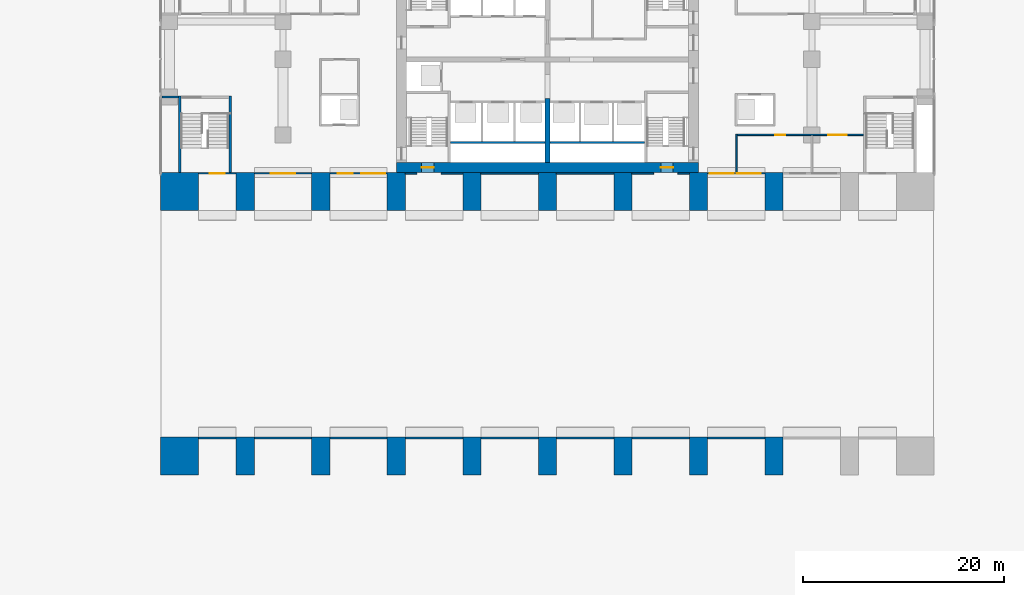
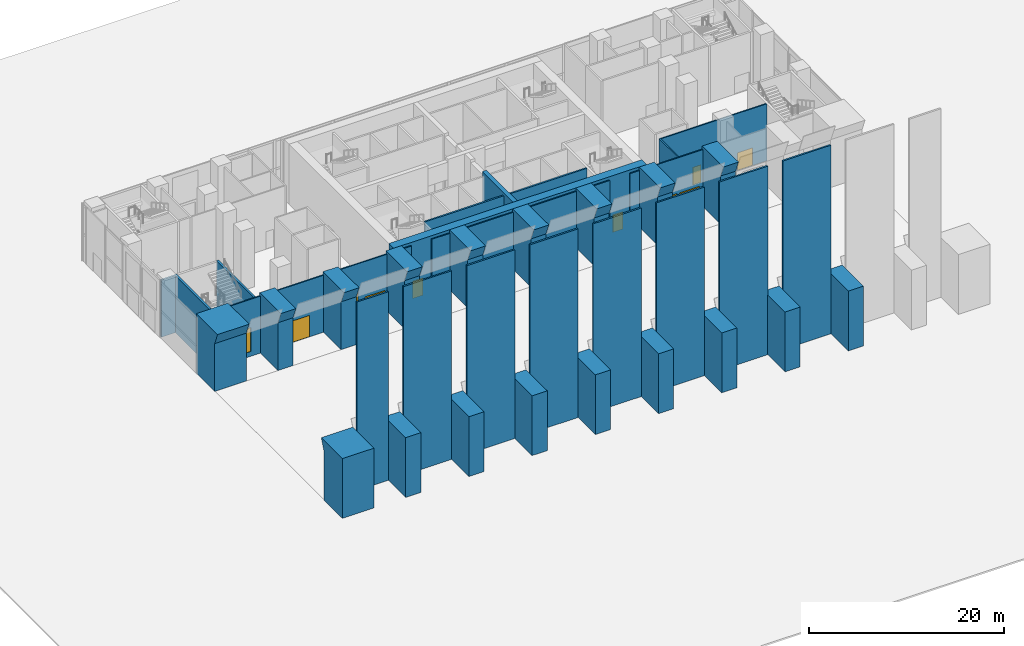
# One storey, part 11 of 21: 45 walls, 8 doors, 2 windows, 10 openings.
"""IFC4 building model written with IfcOpenShell, lengths in metres."""

from ifc_helpers import new_model, si_unit, direction, frame, frame_2d, origin, place, context, subcontext, project, spatial, polyline, rectangle, outline, extrude, material, layer, layer_set, type_object, element, fill, save


model = new_model("IFC4")

# Units and contexts
model_context = context("Model", 3, precision=1e-05, world=origin(), true_north=direction((0.0, 1.0)))
body_context = subcontext(model_context, "Body", "Model", "MODEL_VIEW")
ifc_project = project(units=[si_unit("LENGTHUNIT", "METRE"), si_unit("AREAUNIT", "SQUARE_METRE"), si_unit("VOLUMEUNIT", "CUBIC_METRE"), si_unit("PLANEANGLEUNIT", "RADIAN"), si_unit("MASSUNIT", "GRAM", prefix="KILO")], contexts=[model_context])

# Site, building, storey
site_placement = place(None, origin())
site = spatial("IfcSite", under=ifc_project, at=site_placement, CompositionType="ELEMENT")
building_placement = place(site_placement, origin())
building = spatial("IfcBuilding", under=site, at=building_placement, Name="Pilkhan Gate Tower", CompositionType="ELEMENT")
storey_placement = place(building_placement, origin())
storey = spatial("IfcBuildingStorey", under=building, at=storey_placement, Name="L00", CompositionType="ELEMENT", Elevation=0.0)

# Walls
ifc_material_1 = material(Name="Concrete C70/85", Category="concrete")
ifc_layer_1 = layer(ifc_material_1, 1.800048828125)
ifc_layer_set_1 = layer_set([ifc_layer_1], Name="Arch wall AW1800 C70/85")
wall_type_1 = type_object("IfcWallType", Name="Arch wall AW1800 C70/85", PredefinedType="SHEAR", material=ifc_layer_set_1)
wall_1_placement = place(storey_placement, frame((45.89990234375, 45.60107421875, 7.5), z_axis=(1.0, 0.0, 0.0), x_axis=(0.0, -1.0, 0.0)))
element("IfcWall", 1, at=wall_1_placement, inside=storey, type_object=wall_type_1, Name="Arch wall -30.00 L00-1", PredefinedType="SHEAR", context=body_context, shape_type="SweptSolid", body=[
    extrude(outline(polyline([(0.0, 0.0), (4.35107421875, 0.0), (4.35107421875, 7.5), (0.60107421875, 7.5), (0.60107421875, 1.5), (0.0, 0.0)])), origin(), (0.0, 0.0, -1.0), 1.800048828125),
])
wall_2_placement = place(storey_placement, frame((45.89990234375, 71.25, 7.5), z_axis=(1.0, 0.0, 0.0), x_axis=(0.0, -1.0, 0.0)))
element("IfcWall", 2, at=wall_2_placement, inside=storey, type_object=wall_type_1, Name="Arch wall -30.00 L00-2", PredefinedType="SHEAR", context=body_context, shape_type="SweptSolid", body=[
    extrude(outline(polyline([(0.0, 0.0), (4.35107421875, 0.0), (3.75, 1.5), (3.75, 7.5), (0.0, 7.5), (0.0, 0.0)])), origin(), (0.0, 0.0, -1.0), 1.800048828125),
])
wall_3_placement = place(storey_placement, frame((53.39990234375, 45.60107421875, 7.5), z_axis=(1.0, 0.0, 0.0), x_axis=(0.0, -1.0, 0.0)))
element("IfcWall", 3, at=wall_3_placement, inside=storey, type_object=wall_type_1, Name="Arch wall -22.50 L00-1", PredefinedType="SHEAR", context=body_context, shape_type="SweptSolid", body=[
    extrude(outline(polyline([(0.0, 0.0), (4.35107421875, 0.0), (4.35107421875, 7.5), (0.60107421875, 7.5), (0.60107421875, 1.5), (0.0, 0.0)])), origin(), (0.0, 0.0, -1.0), 1.800048828125),
])
wall_4_placement = place(storey_placement, frame((53.39990234375, 71.25, 7.5), z_axis=(1.0, 0.0, 0.0), x_axis=(0.0, -1.0, 0.0)))
element("IfcWall", 4, at=wall_4_placement, inside=storey, type_object=wall_type_1, Name="Arch wall -22.50 L00-2", PredefinedType="SHEAR", context=body_context, shape_type="SweptSolid", body=[
    extrude(outline(polyline([(0.0, 0.0), (4.35107421875, 0.0), (3.75, 1.5), (3.75, 7.5), (0.0, 7.5), (0.0, 0.0)])), origin(), (0.0, 0.0, -1.0), 1.800048828125),
])
wall_5_placement = place(storey_placement, frame((60.89990234375, 45.60107421875, 7.5), z_axis=(1.0, 0.0, 0.0), x_axis=(0.0, -1.0, 0.0)))
element("IfcWall", 5, at=wall_5_placement, inside=storey, type_object=wall_type_1, Name="Arch wall -15.00 L00-1", PredefinedType="SHEAR", context=body_context, shape_type="SweptSolid", body=[
    extrude(outline(polyline([(0.0, 0.0), (4.35107421875, 0.0), (4.35107421875, 7.5), (0.60107421875, 7.5), (0.60107421875, 1.5), (0.0, 0.0)])), origin(), (0.0, 0.0, -1.0), 1.800048828125),
])
wall_6_placement = place(storey_placement, frame((60.89990234375, 71.25, 7.5), z_axis=(1.0, 0.0, 0.0), x_axis=(0.0, -1.0, 0.0)))
element("IfcWall", 6, at=wall_6_placement, inside=storey, type_object=wall_type_1, Name="Arch wall -15.00 L00-2", PredefinedType="SHEAR", context=body_context, shape_type="SweptSolid", body=[
    extrude(outline(polyline([(0.0, 0.0), (4.35107421875, 0.0), (3.75, 1.5), (3.75, 7.5), (0.0, 7.5), (0.0, 0.0)])), origin(), (0.0, 0.0, -1.0), 1.800048828125),
])
wall_7_placement = place(storey_placement, frame((68.39990234375, 45.60107421875, 7.5), z_axis=(1.0, 0.0, 0.0), x_axis=(0.0, -1.0, 0.0)))
element("IfcWall", 7, at=wall_7_placement, inside=storey, type_object=wall_type_1, Name="Arch wall -7.50 L00-1", PredefinedType="SHEAR", context=body_context, shape_type="SweptSolid", body=[
    extrude(outline(polyline([(0.0, 0.0), (4.35107421875, 0.0), (4.35107421875, 7.5), (0.60107421875, 7.5), (0.60107421875, 1.5), (0.0, 0.0)])), origin(), (0.0, 0.0, -1.0), 1.800048828125),
])
wall_8_placement = place(storey_placement, frame((68.39990234375, 71.25, 7.5), z_axis=(1.0, 0.0, 0.0), x_axis=(0.0, -1.0, 0.0)))
element("IfcWall", 8, at=wall_8_placement, inside=storey, type_object=wall_type_1, Name="Arch wall -7.50 L00-2", PredefinedType="SHEAR", context=body_context, shape_type="SweptSolid", body=[
    extrude(outline(polyline([(0.0, 0.0), (4.35107421875, 0.0), (3.75, 1.5), (3.75, 7.5), (0.0, 7.5), (0.0, 0.0)])), origin(), (0.0, 0.0, -1.0), 1.800048828125),
])
wall_9_placement = place(storey_placement, frame((75.89990234375, 45.60107421875, 7.5), z_axis=(1.0, 0.0, 0.0), x_axis=(0.0, -1.0, 0.0)))
element("IfcWall", 9, at=wall_9_placement, inside=storey, type_object=wall_type_1, Name="Arch wall +0.00 L00-1", PredefinedType="SHEAR", context=body_context, shape_type="SweptSolid", body=[
    extrude(outline(polyline([(0.0, 0.0), (4.35107421875, 0.0), (4.35107421875, 7.5), (0.60107421875, 7.5), (0.60107421875, 1.5), (0.0, 0.0)])), origin(), (0.0, 0.0, -1.0), 1.800048828125),
])
wall_10_placement = place(storey_placement, frame((75.89990234375, 71.25, 7.5), z_axis=(1.0, 0.0, 0.0), x_axis=(0.0, -1.0, 0.0)))
element("IfcWall", 10, at=wall_10_placement, inside=storey, type_object=wall_type_1, Name="Arch wall +0.00 L00-2", PredefinedType="SHEAR", context=body_context, shape_type="SweptSolid", body=[
    extrude(outline(polyline([(0.0, 0.0), (4.35107421875, 0.0), (3.75, 1.5), (3.75, 7.5), (0.0, 7.5), (0.0, 0.0)])), origin(), (0.0, 0.0, -1.0), 1.800048828125),
])
wall_11_placement = place(storey_placement, frame((83.39990234375, 45.60107421875, 7.5), z_axis=(1.0, 0.0, 0.0), x_axis=(0.0, -1.0, 0.0)))
element("IfcWall", 11, at=wall_11_placement, inside=storey, type_object=wall_type_1, Name="Arch wall +7.50 L00-1", PredefinedType="SHEAR", context=body_context, shape_type="SweptSolid", body=[
    extrude(outline(polyline([(0.0, 0.0), (4.35107421875, 0.0), (4.35107421875, 7.5), (0.60107421875, 7.5), (0.60107421875, 1.5), (0.0, 0.0)])), origin(), (0.0, 0.0, -1.0), 1.800048828125),
])
wall_12_placement = place(storey_placement, frame((83.39990234375, 71.25, 7.5), z_axis=(1.0, 0.0, 0.0), x_axis=(0.0, -1.0, 0.0)))
element("IfcWall", 12, at=wall_12_placement, inside=storey, type_object=wall_type_1, Name="Arch wall +7.50 L00-2", PredefinedType="SHEAR", context=body_context, shape_type="SweptSolid", body=[
    extrude(outline(polyline([(0.0, 0.0), (4.35107421875, 0.0), (3.75, 1.5), (3.75, 7.5), (0.0, 7.5), (0.0, 0.0)])), origin(), (0.0, 0.0, -1.0), 1.800048828125),
])
wall_13_placement = place(storey_placement, frame((90.89990234375, 45.60107421875, 7.5), z_axis=(1.0, 0.0, 0.0), x_axis=(0.0, -1.0, 0.0)))
element("IfcWall", 13, at=wall_13_placement, inside=storey, type_object=wall_type_1, Name="Arch wall +15.00 L00-1", PredefinedType="SHEAR", context=body_context, shape_type="SweptSolid", body=[
    extrude(outline(polyline([(0.0, 0.0), (4.35107421875, 0.0), (4.35107421875, 7.5), (0.60107421875, 7.5), (0.60107421875, 1.5), (0.0, 0.0)])), origin(), (0.0, 0.0, -1.0), 1.800048828125),
])
wall_14_placement = place(storey_placement, frame((90.89990234375, 71.25, 7.5), z_axis=(1.0, 0.0, 0.0), x_axis=(0.0, -1.0, 0.0)))
element("IfcWall", 14, at=wall_14_placement, inside=storey, type_object=wall_type_1, Name="Arch wall +15.00 L00-2", PredefinedType="SHEAR", context=body_context, shape_type="SweptSolid", body=[
    extrude(outline(polyline([(0.0, 0.0), (4.35107421875, 0.0), (3.75, 1.5), (3.75, 7.5), (0.0, 7.5), (0.0, 0.0)])), origin(), (0.0, 0.0, -1.0), 1.800048828125),
])
wall_15_placement = place(storey_placement, frame((98.39990234375, 45.60107421875, 7.5), z_axis=(1.0, 0.0, 0.0), x_axis=(0.0, -1.0, 0.0)))
element("IfcWall", 15, at=wall_15_placement, inside=storey, type_object=wall_type_1, Name="Arch wall +22.50 L00-1", PredefinedType="SHEAR", context=body_context, shape_type="SweptSolid", body=[
    extrude(outline(polyline([(0.0, 0.0), (4.35107421875, 0.0), (4.35107421875, 7.5), (0.60107421875, 7.5), (0.60107421875, 1.5), (0.0, 0.0)])), origin(), (0.0, 0.0, -1.0), 1.800048828125),
])
wall_16_placement = place(storey_placement, frame((98.39990234375, 71.25, 7.5), z_axis=(1.0, 0.0, 0.0), x_axis=(0.0, -1.0, 0.0)))
element("IfcWall", 16, at=wall_16_placement, inside=storey, type_object=wall_type_1, Name="Arch wall +22.50 L00-2", PredefinedType="SHEAR", context=body_context, shape_type="SweptSolid", body=[
    extrude(outline(polyline([(0.0, 0.0), (4.35107421875, 0.0), (3.75, 1.5), (3.75, 7.5), (0.0, 7.5), (0.0, 0.0)])), origin(), (0.0, 0.0, -1.0), 1.800048828125),
])
ifc_layer_2 = layer(ifc_material_1, 3.75)
ifc_layer_set_2 = layer_set([ifc_layer_2], Name="Arch wall AW3750 C70/85")
wall_type_2 = type_object("IfcWallType", Name="Arch wall AW3750 C70/85", PredefinedType="SHEAR", material=ifc_layer_set_2)
wall_17_placement = place(storey_placement, frame((40.35009765625, 45.60107421875, 7.5), z_axis=(1.0, 0.0, 0.0), x_axis=(0.0, -1.0, 0.0)))
element("IfcWall", 17, at=wall_17_placement, inside=storey, type_object=wall_type_2, Name="Arch wall -37.50 L00-1", PredefinedType="SHEAR", context=body_context, shape_type="SweptSolid", body=[
    extrude(outline(polyline([(0.0, 0.0), (4.35107421875, 0.0), (4.35107421875, 7.5), (0.60107421875, 7.5), (0.60107421875, 1.5), (0.0, 0.0)])), origin(), (0.0, 0.0, -1.0), 3.75),
])
wall_18_placement = place(storey_placement, frame((40.35009765625, 71.25, 7.5), z_axis=(1.0, 0.0, 0.0), x_axis=(0.0, -1.0, 0.0)))
element("IfcWall", 18, at=wall_18_placement, inside=storey, type_object=wall_type_2, Name="Arch wall -37.50 L00-2", PredefinedType="SHEAR", context=body_context, shape_type="SweptSolid", body=[
    extrude(outline(polyline([(0.0, 0.0), (4.35107421875, 0.0), (3.75, 1.5), (3.75, 7.5), (0.0, 7.5), (0.0, 0.0)])), origin(), (0.0, 0.0, -1.0), 3.75),
])

# Wall, openings, doors
ifc_layer_3 = layer(ifc_material_1, 1.0)
ifc_layer_set_3 = layer_set([ifc_layer_3], Name="Core wall CW1000 C70/85")
wall_type_3 = type_object("IfcWallType", Name="Core wall CW1000 C70/85", PredefinedType="SHEAR", material=ifc_layer_set_3)
wall_19_placement = place(storey_placement, frame((60.0, 71.75, 0.0), z_axis=(0.0, 0.0, 1.0), x_axis=(1.0, 0.0, 0.0)))
wall_19 = element("IfcWall", 19, at=wall_19_placement, inside=storey, type_object=wall_type_3, Name="Core wall S L00", PredefinedType="SHEAR", context=body_context, shape_type="SweptSolid", body=[
    extrude(rectangle(XDim=30.0, YDim=1.0, at=frame_2d((15.0, 0.0))), origin(), (0.0, 0.0, 1.0), 7.5),
])
opening_1_placement = place(wall_19_placement, frame((26.27490234375, 0.0, 0.0)))
opening_1 = element("IfcOpeningElement", 20, at=opening_1_placement, cuts=wall_19, Name="Opening L00-06", PredefinedType="OPENING", context=body_context, shape_type="SweptSolid", body=[
    extrude(rectangle(XDim=1.199951171875, YDim=2.199951171875, at=frame_2d((0.60009765625, 1.10009765625))), frame((0.0, 0.510009765625, 0.0), z_axis=(0.0, -1.0, 0.0), x_axis=(1.0, 0.0, 0.0)), (0.0, 0.0, 1.0), 1.02001953125),
])
opening_2_placement = place(wall_19_placement, frame((2.52490234375, 0.0, 0.0)))
opening_2 = element("IfcOpeningElement", 21, at=opening_2_placement, cuts=wall_19, Name="Opening L00-07", PredefinedType="OPENING", context=body_context, shape_type="SweptSolid", body=[
    extrude(rectangle(XDim=1.199951171875, YDim=2.199951171875, at=frame_2d((0.60009765625, 1.10009765625))), frame((0.0, 0.510009765625, 0.0), z_axis=(0.0, -1.0, 0.0), x_axis=(1.0, 0.0, 0.0)), (0.0, 0.0, 1.0), 1.02001953125),
])
ifc_material_2 = material(Name="Steel door, 120 minute fire resisting, panic bar", Category="steel")
door_type_1 = type_object("IfcDoorType", Name="Stair door D11 1200x2200", OperationType="SINGLE_SWING_LEFT", PredefinedType="DOOR", material=ifc_material_2)
door_1_placement = place(opening_1_placement, origin())
door_1 = element("IfcDoor", 22, at=door_1_placement, inside=storey, type_object=door_type_1, Name="Stair ST1 exit door", OperationType="SINGLE_SWING_LEFT", OverallHeight=2.199951171875, OverallWidth=1.199951171875, PredefinedType="DOOR", context=body_context, shape_type="SweptSolid", body=[
    extrude(rectangle(XDim=1.199951171875, YDim=2.199951171875, at=frame_2d((0.60009765625, 1.10009765625))), frame((0.0, 0.02490234375, 0.0), z_axis=(0.0, -1.0, 0.0), x_axis=(1.0, 0.0, 0.0)), (0.0, 0.0, 1.0), 0.050048828125),
])
fill(opening_1, door_1)
door_2_placement = place(opening_2_placement, origin())
door_2 = element("IfcDoor", 23, at=door_2_placement, inside=storey, type_object=door_type_1, Name="Stair ST2 exit door", OperationType="SINGLE_SWING_LEFT", OverallHeight=2.199951171875, OverallWidth=1.199951171875, PredefinedType="DOOR", context=body_context, shape_type="SweptSolid", body=[
    extrude(rectangle(XDim=1.199951171875, YDim=2.199951171875, at=frame_2d((0.60009765625, 1.10009765625))), frame((0.0, 0.02490234375, 0.0), z_axis=(0.0, -1.0, 0.0), x_axis=(1.0, 0.0, 0.0)), (0.0, 0.0, 1.0), 0.050048828125),
])
fill(opening_2, door_2)

# Wall, opening, window
ifc_material_3 = material(Name="Pale anodised aluminium, clear laminated glazing", Category="aluminium")
ifc_layer_4 = layer(ifc_material_3, 0.14990234375)
ifc_layer_set_4 = layer_set([ifc_layer_4], Name="Facade infill wall IW150")
wall_type_4 = type_object("IfcWallType", Name="Facade infill wall IW150", PredefinedType="SOLIDWALL", material=ifc_layer_set_4)
wall_20_placement = place(storey_placement, frame((44.10009765625, 71.175048828125, 0.0), z_axis=(0.0, 0.0, 1.0), x_axis=(-1.0, 0.0, 0.0)))
wall_20 = element("IfcWall", 24, at=wall_20_placement, inside=storey, type_object=wall_type_4, Name="Shopfront wall L00", PredefinedType="SOLIDWALL", context=body_context, shape_type="SweptSolid", body=[
    extrude(rectangle(XDim=3.75, YDim=0.14990234375, at=frame_2d((1.875, 0.0))), origin(), (0.0, 0.0, 1.0), 7.14990234375),
])
opening_3_placement = place(wall_20_placement, frame((1.125, 0.0, 0.60009765625)))
opening_3 = element("IfcOpeningElement", 25, at=opening_3_placement, cuts=wall_20, Name="Opening WS1", PredefinedType="OPENING", context=body_context, shape_type="SweptSolid", body=[
    extrude(rectangle(XDim=1.5, YDim=3.0, at=frame_2d((0.75, 1.5))), frame((0.0, 0.0849609375, 0.0), z_axis=(0.0, -1.0, 0.0), x_axis=(1.0, 0.0, 0.0)), (0.0, 0.0, 1.0), 0.169921875),
])
window_type = type_object("IfcWindowType", Name="Shopfront window WS1 1500x3000", PartitioningType="SINGLE_PANEL", PredefinedType="WINDOW", material=ifc_material_3)
window_1_placement = place(opening_3_placement, origin())
window_1 = element("IfcWindow", 26, at=window_1_placement, inside=storey, type_object=window_type, Name="Shopfront window L00", OverallHeight=3.0, OverallWidth=1.5, PartitioningType="SINGLE_PANEL", PredefinedType="WINDOW", context=body_context, shape_type="SweptSolid", body=[
    extrude(rectangle(XDim=1.5, YDim=3.0, at=frame_2d((0.75, 1.5))), frame((0.0, 0.030029296875, 0.0), z_axis=(0.0, -1.0, 0.0), x_axis=(1.0, 0.0, 0.0)), (0.0, 0.0, 1.0), 0.06005859375),
])
fill(opening_3, window_1)

# Wall, opening, door
wall_21_placement = place(storey_placement, frame((51.60009765625, 71.175048828125, 0.0), z_axis=(0.0, 0.0, 1.0), x_axis=(-1.0, 0.0, 0.0)))
wall_21 = element("IfcWall", 27, at=wall_21_placement, inside=storey, type_object=wall_type_4, Name="Shopfront wall L00", PredefinedType="SOLIDWALL", context=body_context, shape_type="SweptSolid", body=[
    extrude(rectangle(XDim=5.7001953125, YDim=0.14990234375, at=frame_2d((2.85009765625, 0.0))), origin(), (0.0, 0.0, 1.0), 7.14990234375),
])
opening_4_placement = place(wall_21_placement, frame((1.64990234375, 0.0, 0.0)))
opening_4 = element("IfcOpeningElement", 28, at=opening_4_placement, cuts=wall_21, Name="Opening D6", PredefinedType="OPENING", context=body_context, shape_type="SweptSolid", body=[
    extrude(rectangle(XDim=2.39990234375, YDim=2.699951171875, at=frame_2d((1.199951171875, 1.35009765625))), frame((0.0, 0.0849609375, 0.0), z_axis=(0.0, -1.0, 0.0), x_axis=(1.0, 0.0, 0.0)), (0.0, 0.0, 1.0), 0.169921875),
])
ifc_material_4 = material(Name="Pale anodised aluminium, clear glazing", Category="aluminium")
door_type_2 = type_object("IfcDoorType", Name="Entrance door D6 2400x2700", OperationType="DOUBLE_DOOR_SINGLE_SWING", PredefinedType="DOOR", material=ifc_material_4)
door_3_placement = place(opening_4_placement, origin())
door_3 = element("IfcDoor", 29, at=door_3_placement, inside=storey, type_object=door_type_2, Name="Hotel entrance", OperationType="DOUBLE_DOOR_SINGLE_SWING", OverallHeight=2.699951171875, OverallWidth=2.39990234375, PredefinedType="DOOR", context=body_context, shape_type="SweptSolid", body=[
    extrude(rectangle(XDim=2.39990234375, YDim=2.699951171875, at=frame_2d((1.199951171875, 1.35009765625))), frame((0.0, 0.02490234375, 0.0), z_axis=(0.0, -1.0, 0.0), x_axis=(1.0, 0.0, 0.0)), (0.0, 0.0, 1.0), 0.050048828125),
])
fill(opening_4, door_3)

# Wall, openings, door, window
wall_22_placement = place(storey_placement, frame((59.10009765625, 71.175048828125, 0.0), z_axis=(0.0, 0.0, 1.0), x_axis=(-1.0, 0.0, 0.0)))
wall_22 = element("IfcWall", 30, at=wall_22_placement, inside=storey, type_object=wall_type_4, Name="Shopfront wall L00", PredefinedType="SOLIDWALL", context=body_context, shape_type="SweptSolid", body=[
    extrude(rectangle(XDim=5.7001953125, YDim=0.14990234375, at=frame_2d((2.85009765625, 0.0))), origin(), (0.0, 0.0, 1.0), 7.14990234375),
])
opening_5_placement = place(wall_22_placement, frame((0.199951171875, 0.0, 0.0)))
opening_5 = element("IfcOpeningElement", 31, at=opening_5_placement, cuts=wall_22, Name="Opening D6", PredefinedType="OPENING", context=body_context, shape_type="SweptSolid", body=[
    extrude(rectangle(XDim=2.39990234375, YDim=2.699951171875, at=frame_2d((1.199951171875, 1.35009765625))), frame((0.0, 0.0849609375, 0.0), z_axis=(0.0, -1.0, 0.0), x_axis=(1.0, 0.0, 0.0)), (0.0, 0.0, 1.0), 0.169921875),
])
opening_6_placement = place(wall_22_placement, frame((3.39990234375, 0.0, 0.60009765625)))
opening_6 = element("IfcOpeningElement", 32, at=opening_6_placement, cuts=wall_22, Name="Opening WS1", PredefinedType="OPENING", context=body_context, shape_type="SweptSolid", body=[
    extrude(rectangle(XDim=1.5, YDim=3.0, at=frame_2d((0.75, 1.5))), frame((0.0, 0.0849609375, 0.0), z_axis=(0.0, -1.0, 0.0), x_axis=(1.0, 0.0, 0.0)), (0.0, 0.0, 1.0), 0.169921875),
])
door_4_placement = place(opening_5_placement, origin())
door_4 = element("IfcDoor", 33, at=door_4_placement, inside=storey, type_object=door_type_2, Name="Hotel arrival entrance", OperationType="DOUBLE_DOOR_SINGLE_SWING", OverallHeight=2.699951171875, OverallWidth=2.39990234375, PredefinedType="DOOR", context=body_context, shape_type="SweptSolid", body=[
    extrude(rectangle(XDim=2.39990234375, YDim=2.699951171875, at=frame_2d((1.199951171875, 1.35009765625))), frame((0.0, 0.02490234375, 0.0), z_axis=(0.0, -1.0, 0.0), x_axis=(1.0, 0.0, 0.0)), (0.0, 0.0, 1.0), 0.050048828125),
])
fill(opening_5, door_4)
window_2_placement = place(opening_6_placement, origin())
window_2 = element("IfcWindow", 34, at=window_2_placement, inside=storey, type_object=window_type, Name="Shopfront window L00", OverallHeight=3.0, OverallWidth=1.5, PartitioningType="SINGLE_PANEL", PredefinedType="WINDOW", context=body_context, shape_type="SweptSolid", body=[
    extrude(rectangle(XDim=1.5, YDim=3.0, at=frame_2d((0.75, 1.5))), frame((0.0, 0.030029296875, 0.0), z_axis=(0.0, -1.0, 0.0), x_axis=(1.0, 0.0, 0.0)), (0.0, 0.0, 1.0), 0.06005859375),
])
fill(opening_6, window_2)

# Walls
wall_23_placement = place(storey_placement, frame((62.050048828125, 71.175048828125, 0.0), z_axis=(0.0, 0.0, 1.0), x_axis=(-1.0, 0.0, 0.0)))
element("IfcWall", 35, at=wall_23_placement, inside=storey, type_object=wall_type_4, Name="Shopfront wall L00", PredefinedType="SOLIDWALL", context=body_context, shape_type="SweptSolid", body=[
    extrude(rectangle(XDim=1.150146484375, YDim=0.14990234375, at=frame_2d((0.5751953125, 0.0))), origin(), (0.0, 0.0, 1.0), 7.14990234375),
])
wall_24_placement = place(storey_placement, frame((66.60009765625, 71.175048828125, 0.0), z_axis=(0.0, 0.0, 1.0), x_axis=(-1.0, 0.0, 0.0)))
element("IfcWall", 36, at=wall_24_placement, inside=storey, type_object=wall_type_4, Name="Shopfront wall L00", PredefinedType="SOLIDWALL", context=body_context, shape_type="SweptSolid", body=[
    extrude(rectangle(XDim=2.150146484375, YDim=0.14990234375, at=frame_2d((1.0751953125, 0.0))), origin(), (0.0, 0.0, 1.0), 7.14990234375),
])
for number, where, z_axis, x_axis, name in (
    (37, (74.10009765625, 71.175048828125, 0.0), (0.0, 0.0, 1.0), (-1.0, 0.0, 0.0), "Shopfront wall L00"),
    (38, (81.60009765625, 71.175048828125, 0.0), (0.0, 0.0, 1.0), (-1.0, 0.0, 0.0), "Shopfront wall L00"),
):
    element("IfcWall", number, at=place(storey_placement, frame(where, z_axis=z_axis, x_axis=x_axis)), inside=storey, type_object=wall_type_4, Name=name, PredefinedType="SOLIDWALL", context=body_context, shape_type="SweptSolid", body=[
        extrude(rectangle(XDim=5.7001953125, YDim=0.14990234375, at=frame_2d((2.85009765625, 0.0))), origin(), (0.0, 0.0, 1.0), 7.14990234375),
    ])
wall_25_placement = place(storey_placement, frame((85.550048828125, 71.175048828125, 0.0), z_axis=(0.0, 0.0, 1.0), x_axis=(-1.0, 0.0, 0.0)))
element("IfcWall", 39, at=wall_25_placement, inside=storey, type_object=wall_type_4, Name="Shopfront wall L00", PredefinedType="SOLIDWALL", context=body_context, shape_type="SweptSolid", body=[
    extrude(rectangle(XDim=2.150146484375, YDim=0.14990234375, at=frame_2d((1.0751953125, 0.0))), origin(), (0.0, 0.0, 1.0), 7.14990234375),
])
wall_26_placement = place(storey_placement, frame((89.10009765625, 71.175048828125, 0.0), z_axis=(0.0, 0.0, 1.0), x_axis=(-1.0, 0.0, 0.0)))
element("IfcWall", 40, at=wall_26_placement, inside=storey, type_object=wall_type_4, Name="Shopfront wall L00", PredefinedType="SOLIDWALL", context=body_context, shape_type="SweptSolid", body=[
    extrude(rectangle(XDim=1.150146484375, YDim=0.14990234375, at=frame_2d((0.5751953125, 0.0))), origin(), (0.0, 0.0, 1.0), 7.14990234375),
])

# Wall, openings, doors
wall_27_placement = place(storey_placement, frame((96.60009765625, 71.175048828125, 0.0), z_axis=(0.0, 0.0, 1.0), x_axis=(-1.0, 0.0, 0.0)))
wall_27 = element("IfcWall", 41, at=wall_27_placement, inside=storey, type_object=wall_type_4, Name="Shopfront wall L00", PredefinedType="SOLIDWALL", context=body_context, shape_type="SweptSolid", body=[
    extrude(rectangle(XDim=5.7001953125, YDim=0.14990234375, at=frame_2d((2.85009765625, 0.0))), origin(), (0.0, 0.0, 1.0), 7.14990234375),
])
opening_7_placement = place(wall_27_placement, frame((3.10009765625, 0.0, 0.0)))
opening_7 = element("IfcOpeningElement", 42, at=opening_7_placement, cuts=wall_27, Name="Opening D6", PredefinedType="OPENING", context=body_context, shape_type="SweptSolid", body=[
    extrude(rectangle(XDim=2.39990234375, YDim=2.699951171875, at=frame_2d((1.199951171875, 1.35009765625))), frame((0.0, 0.0849609375, 0.0), z_axis=(0.0, -1.0, 0.0), x_axis=(1.0, 0.0, 0.0)), (0.0, 0.0, 1.0), 0.169921875),
])
opening_8_placement = place(wall_27_placement, frame((0.39990234375, 0.0, 0.0)))
opening_8 = element("IfcOpeningElement", 43, at=opening_8_placement, cuts=wall_27, Name="Opening D6", PredefinedType="OPENING", context=body_context, shape_type="SweptSolid", body=[
    extrude(rectangle(XDim=2.39990234375, YDim=2.699951171875, at=frame_2d((1.199951171875, 1.35009765625))), frame((0.0, 0.0849609375, 0.0), z_axis=(0.0, -1.0, 0.0), x_axis=(1.0, 0.0, 0.0)), (0.0, 0.0, 1.0), 0.169921875),
])
door_5_placement = place(opening_7_placement, origin())
door_5 = element("IfcDoor", 44, at=door_5_placement, inside=storey, type_object=door_type_2, Name="Registration entrance", OperationType="DOUBLE_DOOR_SINGLE_SWING", OverallHeight=2.699951171875, OverallWidth=2.39990234375, PredefinedType="DOOR", context=body_context, shape_type="SweptSolid", body=[
    extrude(rectangle(XDim=2.39990234375, YDim=2.699951171875, at=frame_2d((1.199951171875, 1.35009765625))), frame((0.0, 0.02490234375, 0.0), z_axis=(0.0, -1.0, 0.0), x_axis=(1.0, 0.0, 0.0)), (0.0, 0.0, 1.0), 0.050048828125),
])
fill(opening_7, door_5)
door_6_placement = place(opening_8_placement, origin())
door_6 = element("IfcDoor", 45, at=door_6_placement, inside=storey, type_object=door_type_2, Name="Fire command centre entrance", OperationType="DOUBLE_DOOR_SINGLE_SWING", OverallHeight=2.699951171875, OverallWidth=2.39990234375, PredefinedType="DOOR", context=body_context, shape_type="SweptSolid", body=[
    extrude(rectangle(XDim=2.39990234375, YDim=2.699951171875, at=frame_2d((1.199951171875, 1.35009765625))), frame((0.0, 0.02490234375, 0.0), z_axis=(0.0, -1.0, 0.0), x_axis=(1.0, 0.0, 0.0)), (0.0, 0.0, 1.0), 0.050048828125),
])
fill(opening_8, door_6)

# Wall
ifc_material_5 = material(Name="Dense blockwork", Category="masonry")
ifc_layer_5 = layer(ifc_material_5, 0.199951171875)
ifc_layer_set_5 = layer_set([ifc_layer_5], Name="Lobby wall LW200")
wall_type_5 = type_object("IfcWallType", Name="Lobby wall LW200", PredefinedType="PARTITIONING", material=ifc_layer_set_5)
wall_28_placement = place(storey_placement, frame((36.735107421875, 78.75, 0.0), z_axis=(0.0, 0.0, 1.0), x_axis=(1.0, 0.0, 0.0)))
element("IfcWall", 46, at=wall_28_placement, inside=storey, type_object=wall_type_5, Name="Partition L00", PredefinedType="PARTITIONING", context=body_context, shape_type="SweptSolid", body=[
    extrude(rectangle(XDim=1.639892578125, YDim=0.199951171875, at=frame_2d((0.81982421875, 0.0))), origin(), (0.0, 0.0, 1.0), 7.14990234375),
])

# Wall, openings, doors
ifc_material_6 = material(Name="Blockwork partition, plastered both sides", Category="masonry")
ifc_layer_6 = layer(ifc_material_6, 0.14990234375)
ifc_layer_set_6 = layer_set([ifc_layer_6], Name="Partition PW150")
wall_type_6 = type_object("IfcWallType", Name="Partition PW150", PredefinedType="PARTITIONING", material=ifc_layer_set_6)
wall_29_placement = place(storey_placement, frame((93.824951171875, 75.0, 0.0), z_axis=(0.0, 0.0, 1.0), x_axis=(1.0, 0.0, 0.0)))
wall_29 = element("IfcWall", 47, at=wall_29_placement, inside=storey, type_object=wall_type_6, Name="Partition L00", PredefinedType="PARTITIONING", context=body_context, shape_type="SweptSolid", body=[
    extrude(rectangle(XDim=12.550048828125, YDim=0.14990234375, at=frame_2d((6.27490234375, 0.0))), origin(), (0.0, 0.0, 1.0), 7.14990234375),
])
opening_9_placement = place(wall_29_placement, frame((3.800048828125, 0.0, 0.0)))
opening_9 = element("IfcOpeningElement", 48, at=opening_9_placement, cuts=wall_29, Name="Opening L00-23", PredefinedType="OPENING", context=body_context, shape_type="SweptSolid", body=[
    extrude(rectangle(XDim=1.0, YDim=2.199951171875, at=frame_2d((0.5, 1.10009765625))), frame((0.0, 0.0849609375, 0.0), z_axis=(0.0, -1.0, 0.0), x_axis=(1.0, 0.0, 0.0)), (0.0, 0.0, 1.0), 0.169921875),
])
opening_10_placement = place(wall_29_placement, frame((9.074951171875, 0.0, 0.0)))
opening_10 = element("IfcOpeningElement", 49, at=opening_10_placement, cuts=wall_29, Name="Opening L00-24", PredefinedType="OPENING", context=body_context, shape_type="SweptSolid", body=[
    extrude(rectangle(XDim=1.800048828125, YDim=2.199951171875, at=frame_2d((0.89990234375, 1.10009765625))), frame((0.0, 0.0849609375, 0.0), z_axis=(0.0, -1.0, 0.0), x_axis=(1.0, 0.0, 0.0)), (0.0, 0.0, 1.0), 0.169921875),
])
ifc_material_7 = material(Name="Timber glazed double door, 30 minute fire resisting", Category="wood")
door_type_3 = type_object("IfcDoorType", Name="Double door D04 1800x2200", OperationType="DOUBLE_DOOR_SINGLE_SWING", PredefinedType="DOOR", material=ifc_material_7)
door_7_placement = place(opening_10_placement, origin())
door_7 = element("IfcDoor", 50, at=door_7_placement, inside=storey, type_object=door_type_3, Name="Double door", OperationType="DOUBLE_DOOR_SINGLE_SWING", OverallHeight=2.199951171875, OverallWidth=1.800048828125, PredefinedType="DOOR", context=body_context, shape_type="SweptSolid", body=[
    extrude(rectangle(XDim=1.800048828125, YDim=2.199951171875, at=frame_2d((0.89990234375, 1.10009765625))), frame((0.0, 0.02490234375, 0.0), z_axis=(0.0, -1.0, 0.0), x_axis=(1.0, 0.0, 0.0)), (0.0, 0.0, 1.0), 0.050048828125),
])
fill(opening_10, door_7)
ifc_material_8 = material(Name="Timber flush door, 30 minute fire resisting", Category="wood")
door_type_4 = type_object("IfcDoorType", Name="Room door D03 1000x2200", OperationType="SINGLE_SWING_LEFT", PredefinedType="DOOR", material=ifc_material_8)
door_8_placement = place(opening_9_placement, origin())
door_8 = element("IfcDoor", 51, at=door_8_placement, inside=storey, type_object=door_type_4, Name="Room door", OperationType="SINGLE_SWING_LEFT", OverallHeight=2.199951171875, OverallWidth=1.0, PredefinedType="DOOR", context=body_context, shape_type="SweptSolid", body=[
    extrude(rectangle(XDim=1.0, YDim=2.199951171875, at=frame_2d((0.5, 1.10009765625))), frame((0.0, 0.02490234375, 0.0), z_axis=(0.0, -1.0, 0.0), x_axis=(1.0, 0.0, 0.0)), (0.0, 0.0, 1.0), 0.050048828125),
])
fill(opening_9, door_8)

# Walls
wall_30_placement = place(storey_placement, frame((93.75, 71.25, 0.0), z_axis=(0.0, 0.0, 1.0), x_axis=(0.0, 1.0, 0.0)))
element("IfcWall", 52, at=wall_30_placement, inside=storey, type_object=wall_type_6, Name="Partition L00", PredefinedType="PARTITIONING", context=body_context, shape_type="SweptSolid", body=[
    extrude(rectangle(XDim=3.824951171875, YDim=0.14990234375, at=frame_2d((1.91259765625, 0.0))), origin(), (0.0, 0.0, 1.0), 7.14990234375),
])
ifc_material_9 = material(Name="Pale anodised aluminium cladding, insulated", Category="aluminium")
ifc_layer_7 = layer(ifc_material_9, 0.199951171875)
ifc_layer_set_7 = layer_set([ifc_layer_7], Name="Passage infill wall PI200")
wall_type_7 = type_object("IfcWallType", Name="Passage infill wall PI200", PredefinedType="SOLIDWALL", material=ifc_layer_set_7)
wall_31_placement = place(storey_placement, frame((44.10009765625, 44.89990234375, 0.0), z_axis=(0.0, 0.0, 1.0), x_axis=(-1.0, 0.0, 0.0)))
element("IfcWall", 53, at=wall_31_placement, inside=storey, type_object=wall_type_7, Name="Passage infill wall", PredefinedType="SOLIDWALL", context=body_context, shape_type="SweptSolid", body=[
    extrude(rectangle(XDim=3.75, YDim=0.199951171875, at=frame_2d((1.875, 0.0))), origin(), (0.0, 0.0, 1.0), 23.64990234375),
])
for number, where, z_axis, x_axis, name in (
    (54, (51.60009765625, 44.89990234375, 0.0), (0.0, 0.0, 1.0), (-1.0, 0.0, 0.0), "Passage infill wall"),
    (55, (59.10009765625, 44.89990234375, 0.0), (0.0, 0.0, 1.0), (-1.0, 0.0, 0.0), "Passage infill wall"),
    (56, (66.60009765625, 44.89990234375, 0.0), (0.0, 0.0, 1.0), (-1.0, 0.0, 0.0), "Passage infill wall"),
    (57, (74.10009765625, 44.89990234375, 0.0), (0.0, 0.0, 1.0), (-1.0, 0.0, 0.0), "Passage infill wall"),
    (58, (81.60009765625, 44.89990234375, 0.0), (0.0, 0.0, 1.0), (-1.0, 0.0, 0.0), "Passage infill wall"),
    (59, (89.10009765625, 44.89990234375, 0.0), (0.0, 0.0, 1.0), (-1.0, 0.0, 0.0), "Passage infill wall"),
    (60, (96.60009765625, 44.89990234375, 0.0), (0.0, 0.0, 1.0), (-1.0, 0.0, 0.0), "Passage infill wall"),
):
    element("IfcWall", number, at=place(storey_placement, frame(where, z_axis=z_axis, x_axis=x_axis)), inside=storey, type_object=wall_type_7, Name=name, PredefinedType="SOLIDWALL", context=body_context, shape_type="SweptSolid", body=[
        extrude(rectangle(XDim=5.7001953125, YDim=0.199951171875, at=frame_2d((2.85009765625, 0.0))), origin(), (0.0, 0.0, 1.0), 23.64990234375),
    ])
ifc_material_10 = material(Name="Reinforced blockwork shaft wall, 120 minute fire resisting", Category="masonry")
ifc_layer_8 = layer(ifc_material_10, 0.199951171875)
ifc_layer_set_8 = layer_set([ifc_layer_8], Name="Shaft wall SW200")
wall_type_8 = type_object("IfcWallType", Name="Shaft wall SW200", PredefinedType="PARTITIONING", material=ifc_layer_set_8)
for number, where, z_axis, x_axis, name in (
    (61, (65.375, 74.25, 0.0), (0.0, 0.0, 1.0), (1.0, 0.0, 0.0), "Partition L00"),
    (62, (75.260009765625, 74.25, 0.0), (0.0, 0.0, 1.0), (1.0, 0.0, 0.0), "Partition L00"),
):
    element("IfcWall", number, at=place(storey_placement, frame(where, z_axis=z_axis, x_axis=x_axis)), inside=storey, type_object=wall_type_8, Name=name, PredefinedType="PARTITIONING", context=body_context, shape_type="SweptSolid", body=[
        extrude(rectangle(XDim=9.364990234375, YDim=0.199951171875, at=frame_2d((4.6826171875, 0.0))), origin(), (0.0, 0.0, 1.0), 7.14990234375),
    ])
ifc_layer_9 = layer(ifc_material_1, 0.5)
ifc_layer_set_9 = layer_set([ifc_layer_9], Name="Spine wall SW500 C70/85")
wall_type_9 = type_object("IfcWallType", Name="Spine wall SW500 C70/85", PredefinedType="SHEAR", material=ifc_layer_set_9)
wall_32_placement = place(storey_placement, frame((75.0, 72.25, 0.0), z_axis=(0.0, 0.0, 1.0), x_axis=(0.0, 1.0, 0.0)))
element("IfcWall", 63, at=wall_32_placement, inside=storey, type_object=wall_type_9, Name="Spine wall SP-NS-S1 L00", PredefinedType="SHEAR", context=body_context, shape_type="SweptSolid", body=[
    extrude(rectangle(XDim=6.35009765625, YDim=0.5, at=frame_2d((3.175048828125, 0.0))), origin(), (0.0, 0.0, 1.0), 7.5),
])
ifc_material_11 = material(Name="Reinforced blockwork, 120 minute fire resisting", Category="masonry")
ifc_layer_10 = layer(ifc_material_11, 0.25)
ifc_layer_set_10 = layer_set([ifc_layer_10], Name="Stair enclosure wall SE250")
wall_type_10 = type_object("IfcWallType", Name="Stair enclosure wall SE250", PredefinedType="PARTITIONING", material=ifc_layer_set_10)
for number, where, z_axis, x_axis, name in (
    (64, (38.5, 71.25, 0.0), (0.0, 0.0, 1.0), (0.0, 1.0, 0.0), "Partition L00"),
    (65, (43.5, 71.25, 0.0), (0.0, 0.0, 1.0), (0.0, 1.0, 0.0), "Partition L00"),
):
    element("IfcWall", number, at=place(storey_placement, frame(where, z_axis=z_axis, x_axis=x_axis)), inside=storey, type_object=wall_type_10, Name=name, PredefinedType="PARTITIONING", context=body_context, shape_type="SweptSolid", body=[
        extrude(rectangle(XDim=7.625, YDim=0.25, at=frame_2d((3.8125, 0.0))), origin(), (0.0, 0.0, 1.0), 7.14990234375),
    ])

save(model, "model.ifc")
